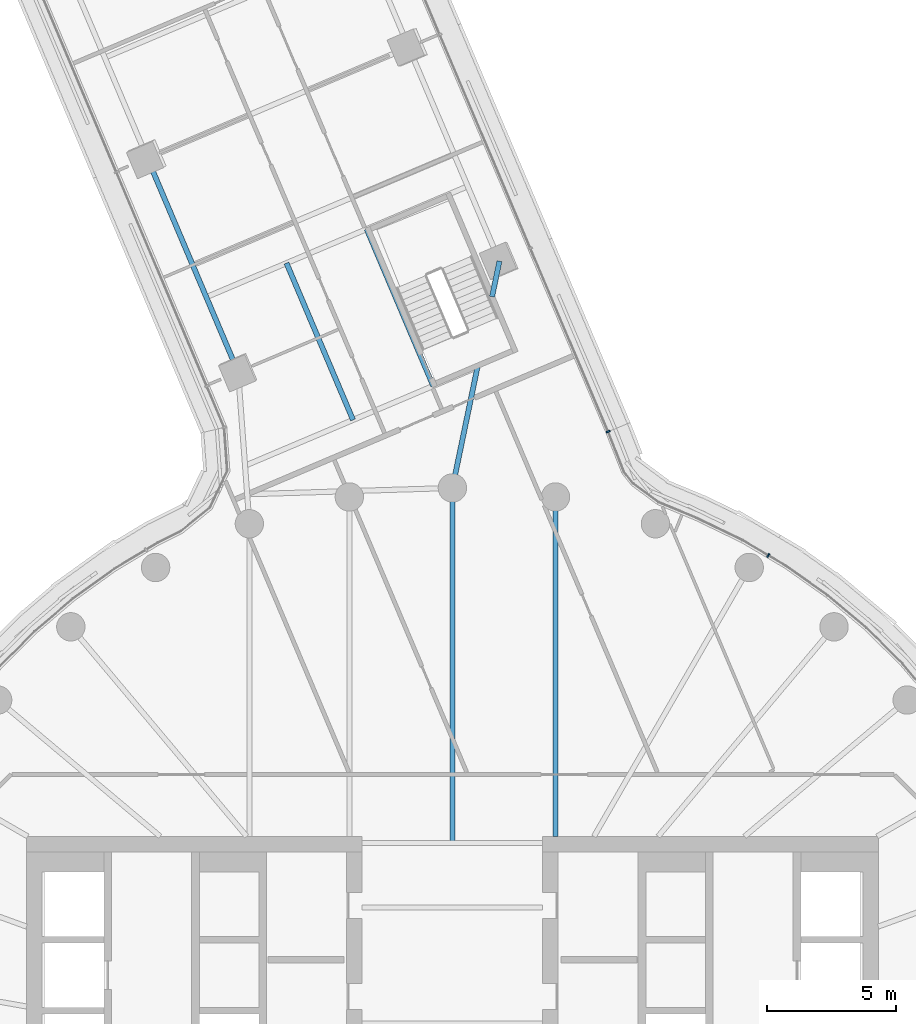
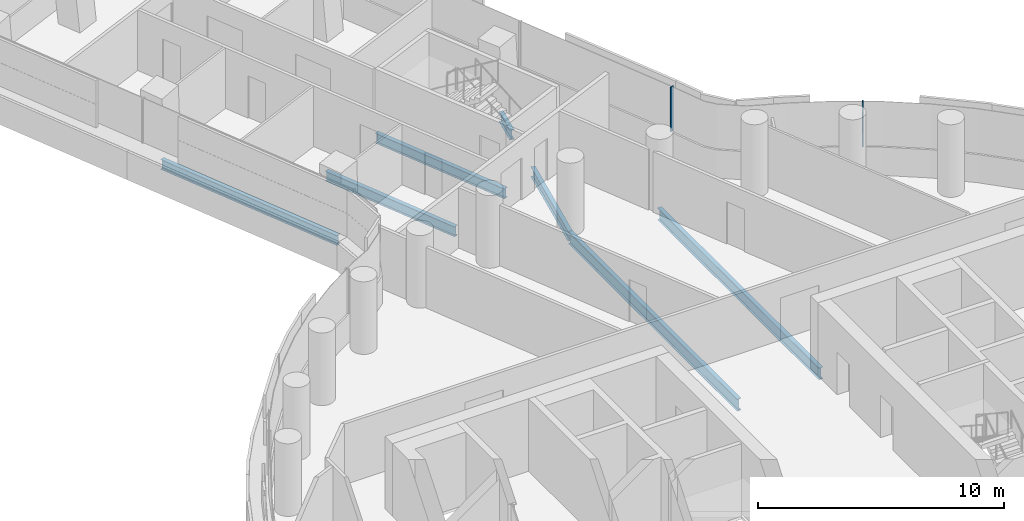
# One storey, part 15 of 35: 7 beams, 2 members, 2 elements without a shape of their own.
"""IFC4 building model written with IfcOpenShell, lengths in metres."""

from ifc_helpers import new_model, si_unit, direction, frame, origin, origin_2d, place, context, subcontext, project, spatial, rectangle, i_section, extrude, material, layer, layer_set, material_profile, profile_set, type_object, element, aggregate, save


model = new_model("IFC4")

# Units and contexts
model_context = context("Model", 3, precision=1e-05, world=origin(), true_north=direction((0.0, 1.0)))
body_context = subcontext(model_context, "Body", "Model", "MODEL_VIEW")
ifc_project = project(units=[si_unit("LENGTHUNIT", "METRE"), si_unit("AREAUNIT", "SQUARE_METRE"), si_unit("VOLUMEUNIT", "CUBIC_METRE"), si_unit("PLANEANGLEUNIT", "RADIAN"), si_unit("MASSUNIT", "GRAM", prefix="KILO")], contexts=[model_context])

# Site, building, storey
site_placement = place(None, origin())
site = spatial("IfcSite", under=ifc_project, at=site_placement, CompositionType="ELEMENT")
building_placement = place(site_placement, origin())
building = spatial("IfcBuilding", under=site, at=building_placement, Name="Tamarind Cross Interchange Tower", CompositionType="ELEMENT")
storey_placement = place(building_placement, frame((0.0, 0.0, 117.25)))
storey = spatial("IfcBuildingStorey", under=building, at=storey_placement, Name="L28", CompositionType="ELEMENT", Elevation=117.25)

# Beams
ifc_material_1 = material(Name="Steel Q355B", Category="steel")
ifc_material_profile_1 = material_profile(ifc_material_1, i_section(OverallWidth=0.198974609375, OverallDepth=0.49609375, WebThickness=0.009033203125, FlangeThickness=0.013916015625, FilletRadius=0.012939453125, at=origin_2d()), Name="HN 496x199x9x14")
ifc_profile_set_1 = profile_set([ifc_material_profile_1], Name="Steel Q355B")
beam_type_1 = type_object("IfcBeamType", Name="Composite beam HN 496x199x9x14 Q355B", PredefinedType="BEAM", material=ifc_profile_set_1)
beam_1_placement = place(storey_placement, frame((-11.81884765625, 35.778564453125, -0.387939453125), z_axis=(0.390492024579, -0.920606310396, 0.0), x_axis=(0.920606310396, 0.390492024579, 0.0)))
element("IfcBeam", 1, at=beam_1_placement, inside=storey, type_object=beam_type_1, Name="Beam N-edgeep3", PredefinedType="BEAM", context=body_context, shape_type="SweptSolid", body=[
    extrude(i_section(OverallWidth=0.198974609375, OverallDepth=0.49609375, WebThickness=0.009033203125, FlangeThickness=0.013916015625, FilletRadius=0.012939453125, at=origin_2d()), origin(), (0.0, 0.0, 1.0), 9.0),
])
beam_2_placement = place(storey_placement, frame((1.822265625, 31.788818359375, -0.387939453125), z_axis=(-0.203059350401, -0.979166431315, 0.0), x_axis=(0.979166431315, -0.203059350401, 0.0)))
element("IfcBeam", 2, at=beam_2_placement, inside=storey, type_object=beam_type_1, Name="Beam N-linkemt0", PredefinedType="BEAM", context=body_context, shape_type="SweptSolid", body=[
    extrude(i_section(OverallWidth=0.198974609375, OverallDepth=0.49609375, WebThickness=0.009033203125, FlangeThickness=0.013916015625, FilletRadius=0.012939453125, at=origin_2d()), origin(), (0.0, 0.0, 1.0), 1.405517578125),
])
beam_3_placement = place(storey_placement, frame((0.982666015625, 27.739501953125, -0.387939453125), z_axis=(-0.203017553709, -0.979175098175, 0.0), x_axis=(0.979175098175, -0.203017553709, 0.0)))
element("IfcBeam", 3, at=beam_3_placement, inside=storey, type_object=beam_type_1, Name="Beam N-linkemt1", PredefinedType="BEAM", context=body_context, shape_type="SweptSolid", body=[
    extrude(i_section(OverallWidth=0.198974609375, OverallDepth=0.49609375, WebThickness=0.009033203125, FlangeThickness=0.013916015625, FilletRadius=0.012939453125, at=origin_2d()), origin(), (0.0, 0.0, 1.0), 4.84033203125),
])
for number, where, z_axis, x_axis, name in (
    (4, (-0.7431640625, 26.953125, -0.387939453125), (-0.390514697861, 0.920596692778, 0.0), (-0.920596692778, -0.390514697861, 0.0), "Beam N-tr1"),
    (5, (-3.85009765625, 25.635009765625, -0.387939453125), (-0.390501399742, 0.920602333692, 0.0), (-0.920602333692, -0.390501399742, 0.0), "Beam N-stripp"),
):
    element("IfcBeam", number, at=place(storey_placement, frame(where, z_axis=z_axis, x_axis=x_axis)), inside=storey, type_object=beam_type_1, Name=name, PredefinedType="BEAM", context=body_context, shape_type="SweptSolid", body=[
        extrude(i_section(OverallWidth=0.198974609375, OverallDepth=0.49609375, WebThickness=0.009033203125, FlangeThickness=0.013916015625, FilletRadius=0.012939453125, at=origin_2d()), origin(), (0.0, 0.0, 1.0), 6.60009765625),
    ])
ifc_material_profile_2 = material_profile(ifc_material_1, i_section(OverallWidth=0.198974609375, OverallDepth=0.595947265625, WebThickness=0.010009765625, FlangeThickness=0.014892578125, FilletRadius=0.012939453125, at=origin_2d()), Name="HN 596x199x10x15")
ifc_profile_set_2 = profile_set([ifc_material_profile_2], Name="Steel Q355B")
beam_type_2 = type_object("IfcBeamType", Name="Composite beam HN 596x199x10x15 Q355B", PredefinedType="BEAM", material=ifc_profile_set_2)
beam_4_placement = place(storey_placement, frame((3.993896484375, 22.650634765625, -0.43798828125), z_axis=(0.0, -1.0, 0.0), x_axis=(1.0, 0.0, 0.0)))
element("IfcBeam", 6, at=beam_4_placement, inside=storey, type_object=beam_type_2, Name="Beam HH08", PredefinedType="BEAM", context=body_context, shape_type="SweptSolid", body=[
    extrude(i_section(OverallWidth=0.198974609375, OverallDepth=0.595947265625, WebThickness=0.010009765625, FlangeThickness=0.014892578125, FilletRadius=0.012939453125, at=origin_2d()), origin(), (0.0, 0.0, 1.0), 13.150634765625),
])
beam_5_placement = place(storey_placement, frame((0.0, 23.0, -0.43798828125), z_axis=(0.0, -1.0, 0.0), x_axis=(1.0, 0.0, 0.0)))
element("IfcBeam", 7, at=beam_5_placement, inside=storey, type_object=beam_type_2, Name="Beam HH09", PredefinedType="BEAM", context=body_context, shape_type="SweptSolid", body=[
    extrude(i_section(OverallWidth=0.198974609375, OverallDepth=0.595947265625, WebThickness=0.010009765625, FlangeThickness=0.014892578125, FilletRadius=0.012939453125, at=origin_2d()), origin(), (0.0, 0.0, 1.0), 13.75),
])

# Curtain wall, member
ifc_material_2 = material(Name="Aluminium 6063-T6", Category="aluminium")
ifc_layer = layer(ifc_material_2, 0.159912109375)
ifc_layer_set = layer_set([ifc_layer], Name="Aluminium 6063-T6")
curtain_wall_type = type_object("IfcCurtainWallType", Name="Office curtain wall, 9.0 m bays", PredefinedType="NOTDEFINED", material=ifc_layer_set)
curtain_wall_1_placement = place(storey_placement, origin())
curtain_wall_1 = element("IfcCurtainWall", 8, at=curtain_wall_1_placement, inside=storey, type_object=curtain_wall_type, Name="CWS-L28-10", PredefinedType="NOTDEFINED")
ifc_material_profile_3 = material_profile(ifc_material_2, rectangle(XDim=0.06005859375, YDim=0.159912109375, at=origin_2d()), Name="Mullion CW1")
ifc_profile_set_3 = profile_set([ifc_material_profile_3], Name="Aluminium 6063-T6")
member_type = type_object("IfcMemberType", Name="Mullion CW1", PredefinedType="MULLION", material=ifc_profile_set_3)
member_1_placement = place(storey_placement, frame((12.23828125, 20.384521484375, 1.39990234375), z_axis=(0.0, 0.0, 1.0), x_axis=(-0.861248933065, 0.508183308752, 0.0)))
member_1 = element("IfcMember", 9, at=member_1_placement, type_object=member_type, Name="CWM-L28-10-02", PredefinedType="MULLION", context=body_context, shape_type="SweptSolid", body=[
    extrude(rectangle(XDim=0.06005859375, YDim=0.159912109375, at=origin_2d()), origin(), (0.0, 0.0, 1.0), 2.210205078125),
])
aggregate(curtain_wall_1, [member_1])

curtain_wall_2_placement = place(storey_placement, origin())
curtain_wall_2 = element("IfcCurtainWall", 10, at=curtain_wall_2_placement, inside=storey, type_object=curtain_wall_type, Name="CWS-L28-11", PredefinedType="NOTDEFINED")
member_2_placement = place(storey_placement, frame((6.0361328125, 25.18359375, 1.39990234375), z_axis=(0.0, 0.0, 1.0), x_axis=(-0.37873072236, 0.925506909721, 0.0)))
member_2 = element("IfcMember", 11, at=member_2_placement, type_object=member_type, Name="CWM-L28-11-00", PredefinedType="MULLION", context=body_context, shape_type="SweptSolid", body=[
    extrude(rectangle(XDim=0.06005859375, YDim=0.159912109375, at=origin_2d()), origin(), (0.0, 0.0, 1.0), 2.210205078125),
])
aggregate(curtain_wall_2, [member_2])

save(model, "model.ifc")
